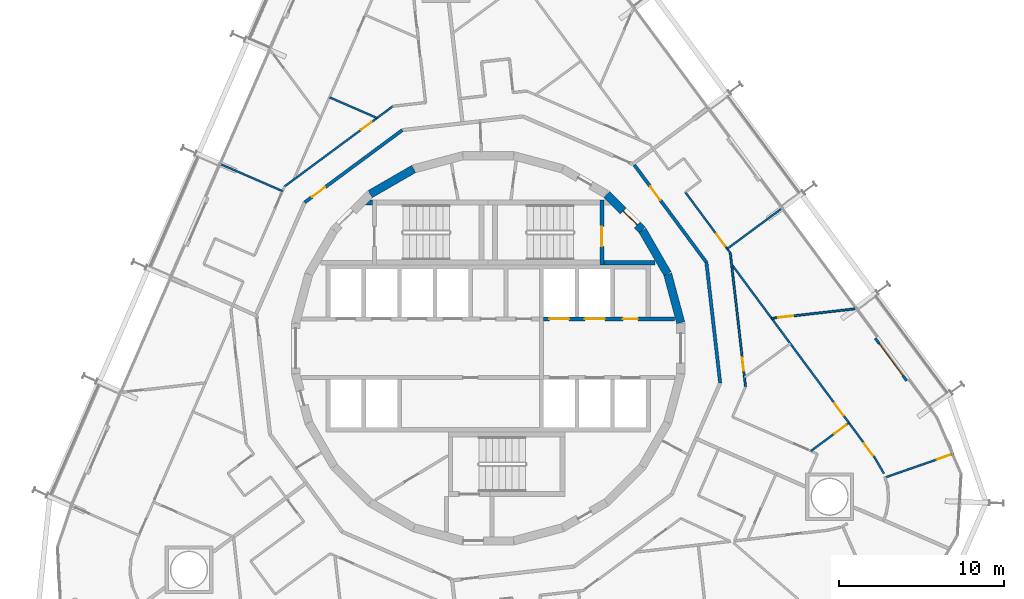
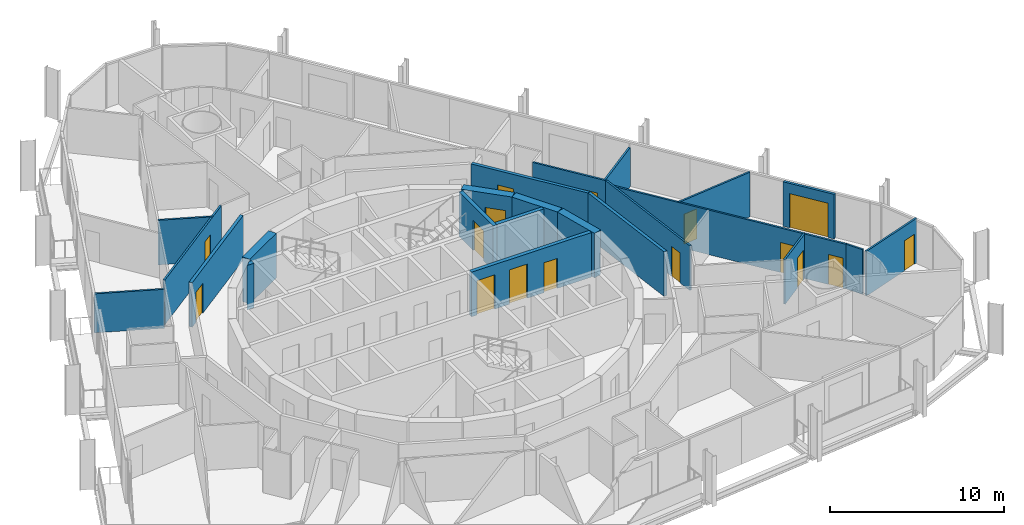
# One storey, part 20 of 24: 24 walls, 16 doors, 16 openings.
"""IFC4 building model written with IfcOpenShell, lengths in metres."""

from ifc_helpers import new_model, si_unit, direction, frame, frame_2d, origin, place, context, subcontext, project, spatial, polyline, rectangle, outline, extrude, material, layer, layer_set, type_object, element, fill, save


model = new_model("IFC4")

# Units and contexts
model_context = context("Model", 3, precision=1e-05, world=origin(), true_north=direction((0.0, 1.0)))
body_context = subcontext(model_context, "Body", "Model", "MODEL_VIEW")
ifc_project = project(units=[si_unit("LENGTHUNIT", "METRE"), si_unit("AREAUNIT", "SQUARE_METRE"), si_unit("VOLUMEUNIT", "CUBIC_METRE"), si_unit("PLANEANGLEUNIT", "RADIAN"), si_unit("MASSUNIT", "GRAM", prefix="KILO")], contexts=[model_context])

# Site, building, storey
site_placement = place(None, origin())
site = spatial("IfcSite", under=ifc_project, at=site_placement, CompositionType="ELEMENT")
building_placement = place(site_placement, origin())
building = spatial("IfcBuilding", under=site, at=building_placement, Name="Spindle Arch Residences", CompositionType="ELEMENT")
storey_placement = place(building_placement, frame((0.0, 0.0, 101.199951171875)))
storey = spatial("IfcBuildingStorey", under=building, at=storey_placement, Name="L24", CompositionType="ELEMENT", Elevation=101.199951171875)

# Walls
ifc_material_1 = material(Name="Concrete C50/60", Category="concrete")
ifc_layer_1 = layer(ifc_material_1, 0.5)
ifc_layer_set_1 = layer_set([ifc_layer_1], Name="Core outline wall 500")
wall_type_1 = type_object("IfcWallType", Name="Core outline wall 500", PredefinedType="SHEAR", material=ifc_layer_set_1)
for number, where, z_axis, x_axis, name in (
    (1, (11.642822265625, 1.5498046875, 0.0), (0.0, 0.0, 1.0), (-0.258734743916, 0.965948410781, 0.0), "Core outline wall 7"),
    (2, (10.84521484375, 4.510498046875, 0.0), (0.0, 0.0, 1.0), (-0.500087131594, 0.865975092491, 0.0), "Core outline wall 8"),
):
    element("IfcWall", number, at=place(storey_placement, frame(where, z_axis=z_axis, x_axis=x_axis)), inside=storey, type_object=wall_type_1, Name=name, PredefinedType="SHEAR", context=body_context, shape_type="SweptSolid", body=[
        extrude(rectangle(XDim=3.03271484375, YDim=0.5, at=frame_2d((1.516357421875, 0.0))), origin(), (0.0, 0.0, 1.0), 3.1201171875),
    ])

# Wall, opening, door
wall_1_placement = place(storey_placement, frame((9.30810546875, 7.163818359375, 0.0), z_axis=(0.0, 0.0, 1.0), x_axis=(-0.707106781187, 0.707106781187, 0.0)))
wall_1 = element("IfcWall", 3, at=wall_1_placement, inside=storey, type_object=wall_type_1, Name="Core outline wall 9", PredefinedType="SHEAR", context=body_context, shape_type="SweptSolid", body=[
    extrude(rectangle(XDim=3.032470703125, YDim=0.5, at=frame_2d((1.51611328125, 0.0))), origin(), (0.0, 0.0, 1.0), 3.1201171875),
])
opening_1_placement = place(wall_1_placement, frame((0.416259765625, 0.0, 0.0)))
opening_1 = element("IfcOpeningElement", 4, at=opening_1_placement, cuts=wall_1, Name="Opening R2C1-AD01", PredefinedType="OPENING", context=body_context, shape_type="SweptSolid", body=[
    extrude(rectangle(XDim=1.199951171875, YDim=2.10009765625, at=frame_2d((0.60009765625, 1.050048828125))), frame((0.0, 0.260009765625, 0.0), z_axis=(0.0, -1.0, 0.0), x_axis=(1.0, 0.0, 0.0)), (0.0, 0.0, 1.0), 0.52001953125),
])
ifc_material_2 = material(Name="Steel, fire-resisting door", Category="steel")
door_type_1 = type_object("IfcDoorType", Name="Stair airlock door 1200x2100", OperationType="SINGLE_SWING_LEFT", PredefinedType="DOOR", material=ifc_material_2)
door_1_placement = place(opening_1_placement, origin())
door_1 = element("IfcDoor", 5, at=door_1_placement, inside=storey, type_object=door_type_1, Name="Stair airlock door R2C1-AD01", OperationType="SINGLE_SWING_RIGHT", OverallHeight=2.10009765625, OverallWidth=1.199951171875, PredefinedType="DOOR", context=body_context, shape_type="SweptSolid", body=[
    extrude(rectangle(XDim=1.199951171875, YDim=2.10009765625, at=frame_2d((0.60009765625, 1.050048828125))), frame((0.0, 0.02490234375, 0.0), z_axis=(0.0, -1.0, 0.0), x_axis=(1.0, 0.0, 0.0)), (0.0, 0.0, 1.0), 0.050048828125),
])
fill(opening_1, door_1)

# Walls
wall_2_placement = place(storey_placement, frame((-4.510498046875, 10.84521484375, 0.0), z_axis=(0.0, 0.0, 1.0), x_axis=(-0.865975092491, -0.500087131594, 0.0)))
element("IfcWall", 6, at=wall_2_placement, inside=storey, type_object=wall_type_1, Name="Core outline wall 14", PredefinedType="SHEAR", context=body_context, shape_type="SweptSolid", body=[
    extrude(rectangle(XDim=3.03271484375, YDim=0.5, at=frame_2d((1.516357421875, 0.0))), origin(), (0.0, 0.0, 1.0), 3.1201171875),
])
ifc_material_3 = material(Name="Calcium silicate block, plastered")
ifc_layer_2 = layer(ifc_material_3, 0.199951171875)
ifc_layer_set_2 = layer_set([ifc_layer_2], Name="Corridor wall 200")
wall_type_2 = type_object("IfcWallType", Name="Corridor wall 200", PredefinedType="STANDARD", material=ifc_layer_set_2)
wall_3_placement = place(storey_placement, frame((14.027587890625, -2.096435546875, 0.0), z_axis=(0.0, 0.0, 1.0), x_axis=(-0.113226782163, 0.993569170114, 0.0)))
element("IfcWall", 7, at=wall_3_placement, inside=storey, type_object=wall_type_2, Name="Corridor wall R2C1-W005", PredefinedType="STANDARD", context=body_context, shape_type="SweptSolid", body=[
    extrude(rectangle(XDim=7.341796875, YDim=0.199951171875, at=frame_2d((3.6708984375, 0.0))), origin(), (0.0, 0.0, 1.0), 3.1201171875),
])

# Wall, opening, door
wall_4_placement = place(storey_placement, frame((13.1962890625, 5.1982421875, 0.0), z_axis=(0.0, 0.0, 1.0), x_axis=(-0.594805187394, 0.803869883159, 0.0)))
wall_4 = element("IfcWall", 8, at=wall_4_placement, inside=storey, type_object=wall_type_2, Name="Corridor wall R2C1-W006", PredefinedType="STANDARD", context=body_context, shape_type="SweptSolid", body=[
    extrude(rectangle(XDim=7.341796875, YDim=0.199951171875, at=frame_2d((3.6708984375, 0.0))), origin(), (0.0, 0.0, 1.0), 3.1201171875),
])
opening_2_placement = place(wall_4_placement, frame((4.699951171875, 0.0, 0.0)))
opening_2 = element("IfcOpeningElement", 9, at=opening_2_placement, cuts=wall_4, Name="Opening R2C1-FD01", PredefinedType="OPENING", context=body_context, shape_type="SweptSolid", body=[
    extrude(rectangle(XDim=1.0, YDim=2.10009765625, at=frame_2d((0.5, 1.050048828125))), frame((0.0, 0.10986328125, 0.0), z_axis=(0.0, -1.0, 0.0), x_axis=(1.0, 0.0, 0.0)), (0.0, 0.0, 1.0), 0.219970703125),
])
ifc_material_4 = material(Name="Timber, fire-resisting door set", Category="wood")
door_type_2 = type_object("IfcDoorType", Name="Flat entrance door 1000x2100", OperationType="NOTDEFINED", PredefinedType="DOOR", material=ifc_material_4)
door_2_placement = place(opening_2_placement, origin())
door_2 = element("IfcDoor", 10, at=door_2_placement, inside=storey, type_object=door_type_2, Name="Flat entrance door R2C1-FD01", OperationType="SINGLE_SWING_RIGHT", OverallHeight=2.10009765625, OverallWidth=1.0, PredefinedType="DOOR", context=body_context, shape_type="SweptSolid", body=[
    extrude(rectangle(XDim=1.0, YDim=2.10009765625, at=frame_2d((0.5, 1.050048828125))), frame((0.0, 0.02490234375, 0.0), z_axis=(0.0, -1.0, 0.0), x_axis=(1.0, 0.0, 0.0)), (0.0, 0.0, 1.0), 0.050048828125),
])
fill(opening_2, door_2)

wall_5_placement = place(storey_placement, frame((-5.1982421875, 13.1962890625, 0.0), z_axis=(0.0, 0.0, 1.0), x_axis=(-0.803869883159, -0.594805187394, 0.0)))
wall_5 = element("IfcWall", 11, at=wall_5_placement, inside=storey, type_object=wall_type_2, Name="Corridor wall R2C1-W009", PredefinedType="STANDARD", context=body_context, shape_type="SweptSolid", body=[
    extrude(rectangle(XDim=7.341796875, YDim=0.199951171875, at=frame_2d((3.6708984375, 0.0))), origin(), (0.0, 0.0, 1.0), 3.1201171875),
])
opening_3_placement = place(wall_5_placement, frame((5.800048828125, 0.0, 0.0)))
opening_3 = element("IfcOpeningElement", 12, at=opening_3_placement, cuts=wall_5, Name="Opening R2C1-FD03", PredefinedType="OPENING", context=body_context, shape_type="SweptSolid", body=[
    extrude(rectangle(XDim=1.0, YDim=2.10009765625, at=frame_2d((0.5, 1.050048828125))), frame((0.0, 0.10986328125, 0.0), z_axis=(0.0, -1.0, 0.0), x_axis=(1.0, 0.0, 0.0)), (0.0, 0.0, 1.0), 0.219970703125),
])
door_3_placement = place(opening_3_placement, origin())
door_3 = element("IfcDoor", 13, at=door_3_placement, inside=storey, type_object=door_type_2, Name="Flat entrance door R2C1-FD03", OperationType="SINGLE_SWING_LEFT", OverallHeight=2.10009765625, OverallWidth=1.0, PredefinedType="DOOR", context=body_context, shape_type="SweptSolid", body=[
    extrude(rectangle(XDim=1.0, YDim=2.10009765625, at=frame_2d((0.5, 1.050048828125))), frame((0.0, 0.02490234375, 0.0), z_axis=(0.0, -1.0, 0.0), x_axis=(1.0, 0.0, 0.0)), (0.0, 0.0, 1.0), 0.050048828125),
])
fill(opening_3, door_3)

# Wall, openings, doors
ifc_material_5 = material(Name="Concrete C40/50", Category="concrete")
ifc_layer_3 = layer(ifc_material_5, 0.25)
ifc_layer_set_3 = layer_set([ifc_layer_3], Name="Fire-lift lobby wall 250")
wall_type_3 = type_object("IfcWallType", Name="Fire-lift lobby wall 250", PredefinedType="SHEAR", material=ifc_layer_set_3)
wall_6_placement = place(storey_placement, frame((3.35009765625, 1.77490234375, 0.0), z_axis=(0.0, 0.0, 1.0), x_axis=(1.0, 0.0, 0.0)))
wall_6 = element("IfcWall", 14, at=wall_6_placement, inside=storey, type_object=wall_type_3, Name="Lift shaft front wall NE", PredefinedType="SHEAR", context=body_context, shape_type="SweptSolid", body=[
    extrude(rectangle(XDim=7.929931640625, YDim=0.25, at=frame_2d((3.96484375, 0.0))), origin(), (0.0, 0.0, 1.0), 3.1201171875),
])
opening_4_placement = place(wall_6_placement, frame((0.35009765625, 0.0, 0.0)))
opening_4 = element("IfcOpeningElement", 15, at=opening_4_placement, cuts=wall_6, Name="Opening R2C1-SLD01", PredefinedType="OPENING", context=body_context, shape_type="SweptSolid", body=[
    extrude(rectangle(XDim=1.199951171875, YDim=2.39990234375, at=frame_2d((0.60009765625, 1.199951171875))), frame((0.0, 0.135009765625, 0.0), z_axis=(0.0, -1.0, 0.0), x_axis=(1.0, 0.0, 0.0)), (0.0, 0.0, 1.0), 0.27001953125),
])
opening_5_placement = place(wall_6_placement, frame((2.5, 0.0, 0.0)))
opening_5 = element("IfcOpeningElement", 16, at=opening_5_placement, cuts=wall_6, Name="Opening R2C1-SLD02", PredefinedType="OPENING", context=body_context, shape_type="SweptSolid", body=[
    extrude(rectangle(XDim=1.199951171875, YDim=2.39990234375, at=frame_2d((0.60009765625, 1.199951171875))), frame((0.0, 0.135009765625, 0.0), z_axis=(0.0, -1.0, 0.0), x_axis=(1.0, 0.0, 0.0)), (0.0, 0.0, 1.0), 0.27001953125),
])
opening_6_placement = place(wall_6_placement, frame((4.800048828125, 0.0, 0.0)))
opening_6 = element("IfcOpeningElement", 17, at=opening_6_placement, cuts=wall_6, Name="Opening R2C1-WD03", PredefinedType="OPENING", context=body_context, shape_type="SweptSolid", body=[
    extrude(rectangle(XDim=0.89990234375, YDim=2.10009765625, at=frame_2d((0.449951171875, 1.050048828125))), frame((0.0, 0.135009765625, 0.0), z_axis=(0.0, -1.0, 0.0), x_axis=(1.0, 0.0, 0.0)), (0.0, 0.0, 1.0), 0.27001953125),
])
ifc_material_6 = material(Name="Steel, fire-resisting landing door", Category="steel")
door_type_3 = type_object("IfcDoorType", Name="Service lift landing door 1200x2400", OperationType="DOUBLE_DOOR_SLIDING", PredefinedType="DOOR", material=ifc_material_6)
door_4_placement = place(opening_4_placement, origin())
door_4 = element("IfcDoor", 18, at=door_4_placement, inside=storey, type_object=door_type_3, Name="Service lift landing door R2C1-SLD01", OperationType="DOUBLE_DOOR_SLIDING", OverallHeight=2.39990234375, OverallWidth=1.199951171875, PredefinedType="DOOR", context=body_context, shape_type="SweptSolid", body=[
    extrude(rectangle(XDim=1.199951171875, YDim=2.39990234375, at=frame_2d((0.60009765625, 1.199951171875))), frame((0.0, 0.02490234375, 0.0), z_axis=(0.0, -1.0, 0.0), x_axis=(1.0, 0.0, 0.0)), (0.0, 0.0, 1.0), 0.050048828125),
])
fill(opening_4, door_4)
door_5_placement = place(opening_5_placement, origin())
door_5 = element("IfcDoor", 19, at=door_5_placement, inside=storey, type_object=door_type_3, Name="Service lift landing door R2C1-SLD02", OperationType="DOUBLE_DOOR_SLIDING", OverallHeight=2.39990234375, OverallWidth=1.199951171875, PredefinedType="DOOR", context=body_context, shape_type="SweptSolid", body=[
    extrude(rectangle(XDim=1.199951171875, YDim=2.39990234375, at=frame_2d((0.60009765625, 1.199951171875))), frame((0.0, 0.02490234375, 0.0), z_axis=(0.0, -1.0, 0.0), x_axis=(1.0, 0.0, 0.0)), (0.0, 0.0, 1.0), 0.050048828125),
])
fill(opening_5, door_5)
ifc_material_7 = material(Name="Steel, fire-resisting door", Category="steel")
door_type_4 = type_object("IfcDoorType", Name="Service room door 900x2100", OperationType="SINGLE_SWING_LEFT", PredefinedType="DOOR", material=ifc_material_7)
door_6_placement = place(opening_6_placement, origin())
door_6 = element("IfcDoor", 20, at=door_6_placement, inside=storey, type_object=door_type_4, Name="Service room door R2C1-WD03", OperationType="SINGLE_SWING_RIGHT", OverallHeight=2.10009765625, OverallWidth=0.89990234375, PredefinedType="DOOR", context=body_context, shape_type="SweptSolid", body=[
    extrude(rectangle(XDim=0.89990234375, YDim=2.10009765625, at=frame_2d((0.449951171875, 1.050048828125))), frame((0.0, 0.02490234375, 0.0), z_axis=(0.0, -1.0, 0.0), x_axis=(1.0, 0.0, 0.0)), (0.0, 0.0, 1.0), 0.050048828125),
])
fill(opening_6, door_6)

# Wall, opening, door
ifc_material_8 = material(Name="Plasterboard on steel studs", Category="steel")
ifc_layer_4 = layer(ifc_material_8, 0.1201171875)
ifc_layer_set_4 = layer_set([ifc_layer_4], Name="Flat partition 120")
wall_type_4 = type_object("IfcWallType", Name="Flat partition 120", PredefinedType="PARTITIONING", material=ifc_layer_set_4)
wall_7_placement = place(storey_placement, frame((15.563232421875, -2.325927734375, 0.0), z_axis=(0.0, 0.0, 1.0), x_axis=(-0.11320423706, 0.993571739087, 0.0)))
wall_7 = element("IfcWall", 21, at=wall_7_placement, inside=storey, type_object=wall_type_4, Name="Flat partition R2C1-W029", PredefinedType="PARTITIONING", context=body_context, shape_type="SweptSolid", body=[
    extrude(rectangle(XDim=8.1455078125, YDim=0.1201171875, at=frame_2d((4.07275390625, 0.0))), origin(), (0.0, 0.0, 1.0), 3.1201171875),
])
opening_7_placement = place(wall_7_placement, frame((0.9697265625, 0.0, 0.0)))
opening_7 = element("IfcOpeningElement", 22, at=opening_7_placement, cuts=wall_7, Name="Opening R2C1-BD01", PredefinedType="OPENING", context=body_context, shape_type="SweptSolid", body=[
    extrude(rectangle(XDim=0.800048828125, YDim=2.10009765625, at=frame_2d((0.39990234375, 1.050048828125))), frame((0.0, 0.070068359375, 0.0), z_axis=(0.0, -1.0, 0.0), x_axis=(1.0, 0.0, 0.0)), (0.0, 0.0, 1.0), 0.14013671875),
])
ifc_material_9 = material(Name="Timber door set", Category="wood")
door_type_5 = type_object("IfcDoorType", Name="Bathroom door 800x2100", OperationType="NOTDEFINED", PredefinedType="DOOR", material=ifc_material_9)
door_7_placement = place(opening_7_placement, origin())
door_7 = element("IfcDoor", 23, at=door_7_placement, inside=storey, type_object=door_type_5, Name="Bathroom door R2C1-BD01", OperationType="SINGLE_SWING_LEFT", OverallHeight=2.10009765625, OverallWidth=0.800048828125, PredefinedType="DOOR", context=body_context, shape_type="SweptSolid", body=[
    extrude(rectangle(XDim=0.800048828125, YDim=2.10009765625, at=frame_2d((0.39990234375, 1.050048828125))), frame((0.0, 0.02490234375, 0.0), z_axis=(0.0, -1.0, 0.0), x_axis=(1.0, 0.0, 0.0)), (0.0, 0.0, 1.0), 0.050048828125),
])
fill(opening_7, door_7)

wall_8_placement = place(storey_placement, frame((14.64111328125, 5.767333984375, 0.0), z_axis=(0.0, 0.0, 1.0), x_axis=(-0.594785744505, 0.803884269117, 0.0)))
wall_8 = element("IfcWall", 24, at=wall_8_placement, inside=storey, type_object=wall_type_4, Name="Flat partition R2C1-W030", PredefinedType="PARTITIONING", context=body_context, shape_type="SweptSolid", body=[
    extrude(rectangle(XDim=4.573486328125, YDim=0.1201171875, at=frame_2d((2.28662109375, 0.0))), origin(), (0.0, 0.0, 1.0), 3.1201171875),
])
opening_8_placement = place(wall_8_placement, frame((0.513427734375, 0.0, 0.0)))
opening_8 = element("IfcOpeningElement", 25, at=opening_8_placement, cuts=wall_8, Name="Opening R2C1-ID01", PredefinedType="OPENING", context=body_context, shape_type="SweptSolid", body=[
    extrude(rectangle(XDim=0.89990234375, YDim=2.10009765625, at=frame_2d((0.449951171875, 1.050048828125))), frame((0.0, 0.070068359375, 0.0), z_axis=(0.0, -1.0, 0.0), x_axis=(1.0, 0.0, 0.0)), (0.0, 0.0, 1.0), 0.14013671875),
])
ifc_material_10 = material(Name="Timber door set", Category="wood")
door_type_6 = type_object("IfcDoorType", Name="Room door 900x2100", OperationType="NOTDEFINED", PredefinedType="DOOR", material=ifc_material_10)
door_8_placement = place(opening_8_placement, origin())
door_8 = element("IfcDoor", 26, at=door_8_placement, inside=storey, type_object=door_type_6, Name="Room door R2C1-ID01", OperationType="SINGLE_SWING_LEFT", OverallHeight=2.10009765625, OverallWidth=0.89990234375, PredefinedType="DOOR", context=body_context, shape_type="SweptSolid", body=[
    extrude(rectangle(XDim=0.89990234375, YDim=2.10009765625, at=frame_2d((0.449951171875, 1.050048828125))), frame((0.0, 0.02490234375, 0.0), z_axis=(0.0, -1.0, 0.0), x_axis=(1.0, 0.0, 0.0)), (0.0, 0.0, 1.0), 0.050048828125),
])
fill(opening_8, door_8)

wall_9_placement = place(storey_placement, frame((21.842041015625, -4.539794921875, 0.0), z_axis=(0.0, 0.0, 1.0), x_axis=(-0.59481744951, 0.803860809941, 0.0)))
wall_9 = element("IfcWall", 27, at=wall_9_placement, inside=storey, type_object=wall_type_4, Name="Flat partition R2C1-W038", PredefinedType="PARTITIONING", context=body_context, shape_type="SweptSolid", body=[
    extrude(rectangle(XDim=11.9755859375, YDim=0.1201171875, at=frame_2d((5.98779296875, 0.0))), origin(), (0.0, 0.0, 1.0), 3.1201171875),
])
opening_9_placement = place(wall_9_placement, frame((0.60009765625, 0.0, 0.0)))
opening_9 = element("IfcOpeningElement", 28, at=opening_9_placement, cuts=wall_9, Name="Opening R2C1-ID04", PredefinedType="OPENING", context=body_context, shape_type="SweptSolid", body=[
    extrude(rectangle(XDim=0.89990234375, YDim=2.10009765625, at=frame_2d((0.449951171875, 1.050048828125))), frame((0.0, 0.070068359375, 0.0), z_axis=(0.0, -1.0, 0.0), x_axis=(1.0, 0.0, 0.0)), (0.0, 0.0, 1.0), 0.14013671875),
])
door_9_placement = place(opening_9_placement, origin())
door_9 = element("IfcDoor", 29, at=door_9_placement, inside=storey, type_object=door_type_6, Name="Room door R2C1-ID04", OperationType="SINGLE_SWING_LEFT", OverallHeight=2.10009765625, OverallWidth=0.89990234375, PredefinedType="DOOR", context=body_context, shape_type="SweptSolid", body=[
    extrude(rectangle(XDim=0.89990234375, YDim=2.10009765625, at=frame_2d((0.449951171875, 1.050048828125))), frame((0.0, 0.02490234375, 0.0), z_axis=(0.0, -1.0, 0.0), x_axis=(1.0, 0.0, 0.0)), (0.0, 0.0, 1.0), 0.050048828125),
])
fill(opening_9, door_9)

wall_10_placement = place(storey_placement, frame((17.140869140625, 1.813720703125, 0.0), z_axis=(0.0, 0.0, 1.0), x_axis=(0.993575814944, 0.113168458319, 0.0)))
wall_10 = element("IfcWall", 30, at=wall_10_placement, inside=storey, type_object=wall_type_4, Name="Flat partition R2C1-W041", PredefinedType="PARTITIONING", context=body_context, shape_type="SweptSolid", body=[
    extrude(rectangle(XDim=5.08056640625, YDim=0.1201171875, at=frame_2d((2.540283203125, 0.0))), origin(), (0.0, 0.0, 1.0), 3.1201171875),
])
opening_10_placement = place(wall_10_placement, frame((0.39990234375, 0.0, 0.0)))
opening_10 = element("IfcOpeningElement", 31, at=opening_10_placement, cuts=wall_10, Name="Opening R2C1-ID05", PredefinedType="OPENING", context=body_context, shape_type="SweptSolid", body=[
    extrude(rectangle(XDim=0.89990234375, YDim=2.10009765625, at=frame_2d((0.449951171875, 1.050048828125))), frame((0.0, 0.070068359375, 0.0), z_axis=(0.0, -1.0, 0.0), x_axis=(1.0, 0.0, 0.0)), (0.0, 0.0, 1.0), 0.14013671875),
])
door_10_placement = place(opening_10_placement, origin())
door_10 = element("IfcDoor", 32, at=door_10_placement, inside=storey, type_object=door_type_6, Name="Room door R2C1-ID05", OperationType="SINGLE_SWING_LEFT", OverallHeight=2.10009765625, OverallWidth=0.89990234375, PredefinedType="DOOR", context=body_context, shape_type="SweptSolid", body=[
    extrude(rectangle(XDim=0.89990234375, YDim=2.10009765625, at=frame_2d((0.449951171875, 1.050048828125))), frame((0.0, 0.02490234375, 0.0), z_axis=(0.0, -1.0, 0.0), x_axis=(1.0, 0.0, 0.0)), (0.0, 0.0, 1.0), 0.050048828125),
])
fill(opening_10, door_10)

wall_11_placement = place(storey_placement, frame((28.161865234375, -6.367919921875, 0.0), z_axis=(0.0, 0.0, 1.0), x_axis=(-0.94463429878, -0.328125039534, 0.0)))
wall_11 = element("IfcWall", 33, at=wall_11_placement, inside=storey, type_object=wall_type_4, Name="Flat partition R2C1-W046", PredefinedType="PARTITIONING", context=body_context, shape_type="SweptSolid", body=[
    extrude(rectangle(XDim=4.40478515625, YDim=0.1201171875, at=frame_2d((2.202392578125, 0.0))), origin(), (0.0, 0.0, 1.0), 3.1201171875),
])
opening_11_placement = place(wall_11_placement, frame((0.199951171875, 0.0, 0.0)))
opening_11 = element("IfcOpeningElement", 34, at=opening_11_placement, cuts=wall_11, Name="Opening R2C1-ID06", PredefinedType="OPENING", context=body_context, shape_type="SweptSolid", body=[
    extrude(rectangle(XDim=0.89990234375, YDim=2.10009765625, at=frame_2d((0.449951171875, 1.050048828125))), frame((0.0, 0.070068359375, 0.0), z_axis=(0.0, -1.0, 0.0), x_axis=(1.0, 0.0, 0.0)), (0.0, 0.0, 1.0), 0.14013671875),
])
door_11_placement = place(opening_11_placement, origin())
door_11 = element("IfcDoor", 35, at=door_11_placement, inside=storey, type_object=door_type_6, Name="Room door R2C1-ID06", OperationType="SINGLE_SWING_LEFT", OverallHeight=2.10009765625, OverallWidth=0.89990234375, PredefinedType="DOOR", context=body_context, shape_type="SweptSolid", body=[
    extrude(rectangle(XDim=0.89990234375, YDim=2.10009765625, at=frame_2d((0.449951171875, 1.050048828125))), frame((0.0, 0.02490234375, 0.0), z_axis=(0.0, -1.0, 0.0), x_axis=(1.0, 0.0, 0.0)), (0.0, 0.0, 1.0), 0.050048828125),
])
fill(opening_11, door_11)

wall_12_placement = place(storey_placement, frame((21.818359375, -4.5078125, 0.0), z_axis=(0.0, 0.0, 1.0), x_axis=(-0.803875276339, -0.594797898526, 0.0)))
wall_12 = element("IfcWall", 36, at=wall_12_placement, inside=storey, type_object=wall_type_4, Name="Flat partition R2C1-W047", PredefinedType="PARTITIONING", context=body_context, shape_type="SweptSolid", body=[
    extrude(rectangle(XDim=2.867919921875, YDim=0.1201171875, at=frame_2d((1.43408203125, 0.0))), origin(), (0.0, 0.0, 1.0), 3.1201171875),
])
opening_12_placement = place(wall_12_placement, frame((0.199951171875, 0.0, 0.0)))
opening_12 = element("IfcOpeningElement", 37, at=opening_12_placement, cuts=wall_12, Name="Opening R2C1-ID03", PredefinedType="OPENING", context=body_context, shape_type="SweptSolid", body=[
    extrude(rectangle(XDim=0.89990234375, YDim=2.10009765625, at=frame_2d((0.449951171875, 1.050048828125))), frame((0.0, 0.070068359375, 0.0), z_axis=(0.0, -1.0, 0.0), x_axis=(1.0, 0.0, 0.0)), (0.0, 0.0, 1.0), 0.14013671875),
])
door_12_placement = place(opening_12_placement, origin())
door_12 = element("IfcDoor", 38, at=door_12_placement, inside=storey, type_object=door_type_6, Name="Room door R2C1-ID03", OperationType="SINGLE_SWING_LEFT", OverallHeight=2.10009765625, OverallWidth=0.89990234375, PredefinedType="DOOR", context=body_context, shape_type="SweptSolid", body=[
    extrude(rectangle(XDim=0.89990234375, YDim=2.10009765625, at=frame_2d((0.449951171875, 1.050048828125))), frame((0.0, 0.02490234375, 0.0), z_axis=(0.0, -1.0, 0.0), x_axis=(1.0, 0.0, 0.0)), (0.0, 0.0, 1.0), 0.050048828125),
])
fill(opening_12, door_12)

# Wall
wall_13_placement = place(storey_placement, frame((23.9296875, -7.573486328125, 0.0), z_axis=(0.0, 0.0, 1.0), x_axis=(-0.497348044937, 0.867551106389, 0.0)))
element("IfcWall", 39, at=wall_13_placement, inside=storey, type_object=wall_type_4, Name="Flat partition R2C1-W048", PredefinedType="PARTITIONING", context=body_context, shape_type="SweptSolid", body=[
    extrude(rectangle(XDim=1.0869140625, YDim=0.1201171875, at=frame_2d((0.54345703125, 0.0))), origin(), (0.0, 0.0, 1.0), 3.1201171875),
])

# Wall, opening, door
wall_14_placement = place(storey_placement, frame((23.38916015625, -6.630615234375, 0.0), z_axis=(0.0, 0.0, 1.0), x_axis=(-0.594821170528, 0.803858056557, 0.0)))
wall_14 = element("IfcWall", 40, at=wall_14_placement, inside=storey, type_object=wall_type_4, Name="Flat partition R2C1-W049", PredefinedType="PARTITIONING", context=body_context, shape_type="SweptSolid", body=[
    extrude(rectangle(XDim=2.60107421875, YDim=0.1201171875, at=frame_2d((1.300537109375, 0.0))), origin(), (0.0, 0.0, 1.0), 3.1201171875),
])
opening_13_placement = place(wall_14_placement, frame((0.199951171875, 0.0, 0.0)))
opening_13 = element("IfcOpeningElement", 41, at=opening_13_placement, cuts=wall_14, Name="Opening R2C1-ID07", PredefinedType="OPENING", context=body_context, shape_type="SweptSolid", body=[
    extrude(rectangle(XDim=0.89990234375, YDim=2.10009765625, at=frame_2d((0.449951171875, 1.050048828125))), frame((0.0, 0.070068359375, 0.0), z_axis=(0.0, -1.0, 0.0), x_axis=(1.0, 0.0, 0.0)), (0.0, 0.0, 1.0), 0.14013671875),
])
door_13_placement = place(opening_13_placement, origin())
door_13 = element("IfcDoor", 42, at=door_13_placement, inside=storey, type_object=door_type_6, Name="Room door R2C1-ID07", OperationType="SINGLE_SWING_RIGHT", OverallHeight=2.10009765625, OverallWidth=0.89990234375, PredefinedType="DOOR", context=body_context, shape_type="SweptSolid", body=[
    extrude(rectangle(XDim=0.89990234375, YDim=2.10009765625, at=frame_2d((0.449951171875, 1.050048828125))), frame((0.0, 0.02490234375, 0.0), z_axis=(0.0, -1.0, 0.0), x_axis=(1.0, 0.0, 0.0)), (0.0, 0.0, 1.0), 0.050048828125),
])
fill(opening_13, door_13)

wall_15_placement = place(storey_placement, frame((-5.767333984375, 14.64111328125, 0.0), z_axis=(0.0, 0.0, 1.0), x_axis=(-0.803853364238, -0.594827511807, 0.0)))
wall_15 = element("IfcWall", 43, at=wall_15_placement, inside=storey, type_object=wall_type_4, Name="Flat partition R2C1-W069", PredefinedType="PARTITIONING", context=body_context, shape_type="SweptSolid", body=[
    extrude(rectangle(XDim=8.1455078125, YDim=0.1201171875, at=frame_2d((4.07275390625, 0.0))), origin(), (0.0, 0.0, 1.0), 3.1201171875),
])
opening_14_placement = place(wall_15_placement, frame((1.591796875, 0.0, 0.0)))
opening_14 = element("IfcOpeningElement", 44, at=opening_14_placement, cuts=wall_15, Name="Opening R2C1-BD03", PredefinedType="OPENING", context=body_context, shape_type="SweptSolid", body=[
    extrude(rectangle(XDim=0.800048828125, YDim=2.10009765625, at=frame_2d((0.39990234375, 1.050048828125))), frame((0.0, 0.070068359375, 0.0), z_axis=(0.0, -1.0, 0.0), x_axis=(1.0, 0.0, 0.0)), (0.0, 0.0, 1.0), 0.14013671875),
])
door_14_placement = place(opening_14_placement, origin())
door_14 = element("IfcDoor", 45, at=door_14_placement, inside=storey, type_object=door_type_5, Name="Bathroom door R2C1-BD03", OperationType="SINGLE_SWING_LEFT", OverallHeight=2.10009765625, OverallWidth=0.800048828125, PredefinedType="DOOR", context=body_context, shape_type="SweptSolid", body=[
    extrude(rectangle(XDim=0.800048828125, YDim=2.10009765625, at=frame_2d((0.39990234375, 1.050048828125))), frame((0.0, 0.02490234375, 0.0), z_axis=(0.0, -1.0, 0.0), x_axis=(1.0, 0.0, 0.0)), (0.0, 0.0, 1.0), 0.050048828125),
])
fill(opening_14, door_14)

# Walls
wall_16_placement = place(storey_placement, frame((-9.599853515625, 15.18212890625, 0.0), z_axis=(0.0, 0.0, 1.0), x_axis=(0.917073771145, -0.398717567054, 0.0)))
element("IfcWall", 46, at=wall_16_placement, inside=storey, type_object=wall_type_4, Name="Flat partition R2C1-W080", PredefinedType="PARTITIONING", context=body_context, shape_type="SweptSolid", body=[
    extrude(rectangle(XDim=3.134521484375, YDim=0.1201171875, at=frame_2d((1.5673828125, 0.0))), origin(), (0.0, 0.0, 1.0), 3.1201171875),
])
ifc_material_11 = material(Name="Plasterboard on steel studs", Category="steel")
ifc_layer_5 = layer(ifc_material_11, 0.1201171875)
ifc_layer_set_5 = layer_set([ifc_layer_5], Name="Flat partition 120 under beam 2730")
wall_type_5 = type_object("IfcWallType", Name="Flat partition 120 under beam 2730", PredefinedType="PARTITIONING", material=ifc_layer_set_5)
wall_17_placement = place(storey_placement, frame((17.716552734375, 8.432861328125, 0.0), z_axis=(0.0, 0.0, 1.0), x_axis=(-0.803853407146, -0.594827453821, 0.0)))
element("IfcWall", 47, at=wall_17_placement, inside=storey, type_object=wall_type_5, Name="Flat partition R2C1-W040", PredefinedType="PARTITIONING", context=body_context, shape_type="SweptSolid", body=[
    extrude(rectangle(XDim=4.0576171875, YDim=0.1201171875, at=frame_2d((2.02880859375, 0.0))), origin(), (0.0, 0.0, 1.0), 2.72998046875),
])
wall_18_placement = place(storey_placement, frame((-16.1611328125, 11.12646484375, 0.0), z_axis=(0.0, 0.0, 1.0), x_axis=(0.91705953326, -0.398750313425, 0.0)))
element("IfcWall", 48, at=wall_18_placement, inside=storey, type_object=wall_type_5, Name="Flat partition R2C1-W082", PredefinedType="PARTITIONING", context=body_context, shape_type="SweptSolid", body=[
    extrude(rectangle(XDim=4.057373046875, YDim=0.1201171875, at=frame_2d((2.02880859375, 0.0))), origin(), (0.0, 0.0, 1.0), 2.72998046875),
])

# Wall, opening, door
ifc_material_12 = material(Name="Non-combustible mineral wool insulated aluminium faced external wall (K0)", Category="aluminium")
ifc_layer_6 = layer(ifc_material_12, 0.159912109375)
ifc_layer_set_6 = layer_set([ifc_layer_6], Name="Insulated external wall panel 160")
wall_type_6 = type_object("IfcWallType", Name="Insulated external wall panel 160", PredefinedType="STANDARD", material=ifc_layer_set_6)
wall_19_placement = place(storey_placement, frame((25.3125, -1.967041015625, 0.0), z_axis=(0.0, 0.0, 1.0), x_axis=(-0.594860752536, 0.803828766027, 0.0)))
wall_19 = element("IfcWall", 49, at=wall_19_placement, inside=storey, type_object=wall_type_6, Name="External wall L24 bay 6", PredefinedType="STANDARD", context=body_context, shape_type="SweptSolid", body=[
    extrude(rectangle(XDim=3.199951171875, YDim=0.159912109375, at=frame_2d((1.60009765625, 0.0))), origin(), (0.0, 0.0, 1.0), 3.1201171875),
])
opening_15_placement = place(wall_19_placement, frame((0.39990234375, 0.0, 0.0)))
opening_15 = element("IfcOpeningElement", 50, at=opening_15_placement, cuts=wall_19, Name="Opening BD06", PredefinedType="OPENING", context=body_context, shape_type="SweptSolid", body=[
    extrude(rectangle(XDim=2.39990234375, YDim=2.39990234375, at=frame_2d((1.199951171875, 1.199951171875))), frame((0.0, 0.08984375, 0.0), z_axis=(0.0, -1.0, 0.0), x_axis=(1.0, 0.0, 0.0)), (0.0, 0.0, 1.0), 0.179931640625),
])
ifc_material_13 = material(Name="Bronze aluminium frame, tinted double glazing", Category="aluminium")
door_type_7 = type_object("IfcDoorType", Name="Sliding glazed balcony door 2400x2400", OperationType="DOUBLE_DOOR_SLIDING", PredefinedType="DOOR", material=ifc_material_13)
door_15_placement = place(opening_15_placement, origin())
door_15 = element("IfcDoor", 51, at=door_15_placement, inside=storey, type_object=door_type_7, Name="Balcony door BD06", OperationType="DOUBLE_DOOR_SLIDING", OverallHeight=2.39990234375, OverallWidth=2.39990234375, PredefinedType="DOOR", context=body_context, shape_type="SweptSolid", body=[
    extrude(rectangle(XDim=2.39990234375, YDim=2.39990234375, at=frame_2d((1.199951171875, 1.199951171875))), frame((0.0, 0.02490234375, 0.0), z_axis=(0.0, -1.0, 0.0), x_axis=(1.0, 0.0, 0.0)), (0.0, 0.0, 1.0), 0.050048828125),
])
fill(opening_15, door_15)

# Walls
ifc_material_14 = material(Name="Concrete C40/50", Category="concrete")
ifc_layer_7 = layer(ifc_material_14, 0.25)
ifc_layer_set_7 = layer_set([ifc_layer_7], Name="Stair airlock wall 250")
wall_type_7 = type_object("IfcWallType", Name="Stair airlock wall 250", PredefinedType="SHEAR", material=ifc_layer_set_7)
wall_20_placement = place(storey_placement, frame((7.0, 5.175048828125, 0.0), z_axis=(0.0, 0.0, 1.0), x_axis=(1.0, 0.0, 0.0)))
element("IfcWall", 52, at=wall_20_placement, inside=storey, type_object=wall_type_7, Name="Stair ST-1 airlock wall S", PredefinedType="SHEAR", context=body_context, shape_type="SweptSolid", body=[
    extrude(rectangle(XDim=3.10009765625, YDim=0.25, at=frame_2d((1.550048828125, 0.0))), origin(), (0.0, 0.0, 1.0), 3.1201171875),
])
ifc_material_15 = material(Name="Concrete C40/50", Category="concrete")
wall_type_8 = type_object("IfcWallType", Name="Stair airlock wall profile", PredefinedType="SHEAR", material=ifc_material_15)
wall_21_placement = place(storey_placement, origin())
element("IfcWall", 53, at=wall_21_placement, inside=storey, type_object=wall_type_8, Name="Stair ST-2 airlock wall N", PredefinedType="SHEAR", context=body_context, shape_type="SweptSolid", body=[
    extrude(outline(polyline([(-7.148193359375, 8.969970703125), (-7.0, 8.969970703125), (-7.0, 8.669921875), (-7.4482421875, 8.669921875), (-7.148193359375, 8.969970703125)])), origin(), (0.0, 0.0, 1.0), 3.1201171875),
])

# Wall, opening, door
ifc_material_16 = material(Name="Concrete C50/60", Category="concrete")
ifc_layer_8 = layer(ifc_material_16, 0.25)
ifc_layer_set_8 = layer_set([ifc_layer_8], Name="Stair enclosure wall 250")
wall_type_9 = type_object("IfcWallType", Name="Stair enclosure wall 250", PredefinedType="SHEAR", material=ifc_layer_set_8)
wall_22_placement = place(storey_placement, frame((6.875, 5.050048828125, 0.0), z_axis=(0.0, 0.0, 1.0), x_axis=(0.0, 1.0, 0.0)))
wall_22 = element("IfcWall", 54, at=wall_22_placement, inside=storey, type_object=wall_type_9, Name="Stair ST-1 door wall", PredefinedType="SHEAR", context=body_context, shape_type="SweptSolid", body=[
    extrude(rectangle(XDim=3.919921875, YDim=0.25, at=frame_2d((1.9599609375, 0.0))), origin(), (0.0, 0.0, 1.0), 3.1201171875),
])
opening_16_placement = place(wall_22_placement, frame((1.110107421875, 0.0, 0.0)))
opening_16 = element("IfcOpeningElement", 55, at=opening_16_placement, cuts=wall_22, Name="Opening R2C1-SD01", PredefinedType="OPENING", context=body_context, shape_type="SweptSolid", body=[
    extrude(rectangle(XDim=1.199951171875, YDim=2.10009765625, at=frame_2d((0.60009765625, 1.050048828125))), frame((0.0, 0.135009765625, 0.0), z_axis=(0.0, -1.0, 0.0), x_axis=(1.0, 0.0, 0.0)), (0.0, 0.0, 1.0), 0.27001953125),
])
ifc_material_17 = material(Name="Steel, fire-resisting door", Category="steel")
door_type_8 = type_object("IfcDoorType", Name="Stair door 1200x2100", OperationType="SINGLE_SWING_RIGHT", PredefinedType="DOOR", material=ifc_material_17)
door_16_placement = place(opening_16_placement, origin())
door_16 = element("IfcDoor", 56, at=door_16_placement, inside=storey, type_object=door_type_8, Name="Stair door R2C1-SD01", OperationType="SINGLE_SWING_LEFT", OverallHeight=2.10009765625, OverallWidth=1.199951171875, PredefinedType="DOOR", context=body_context, shape_type="SweptSolid", body=[
    extrude(rectangle(XDim=1.199951171875, YDim=2.10009765625, at=frame_2d((0.60009765625, 1.050048828125))), frame((0.0, 0.02490234375, 0.0), z_axis=(0.0, -1.0, 0.0), x_axis=(1.0, 0.0, 0.0)), (0.0, 0.0, 1.0), 0.050048828125),
])
fill(opening_16, door_16)

save(model, "model.ifc")
